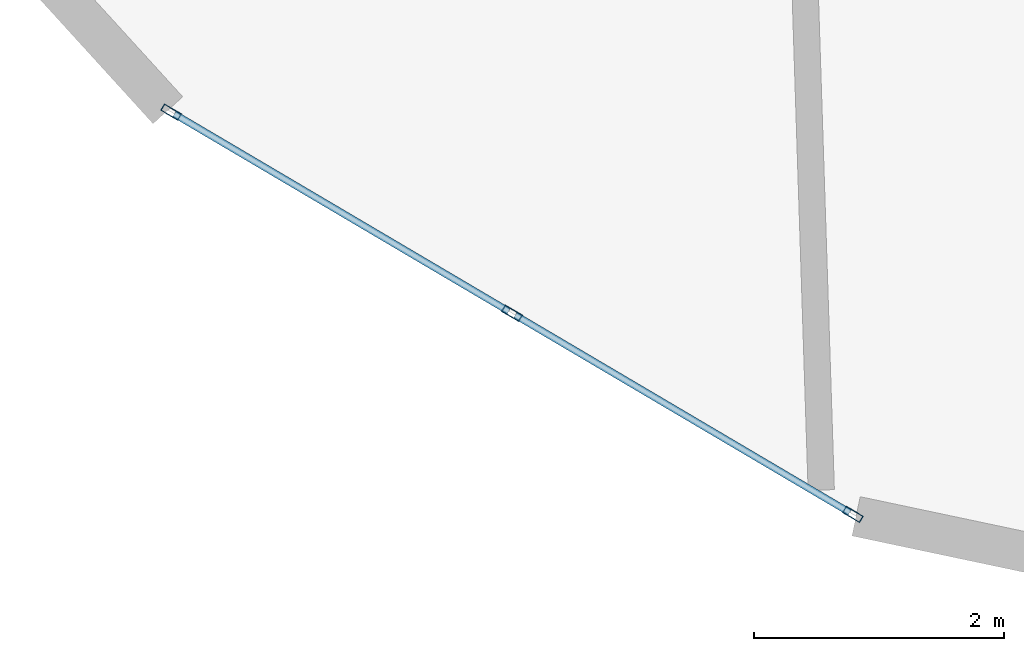
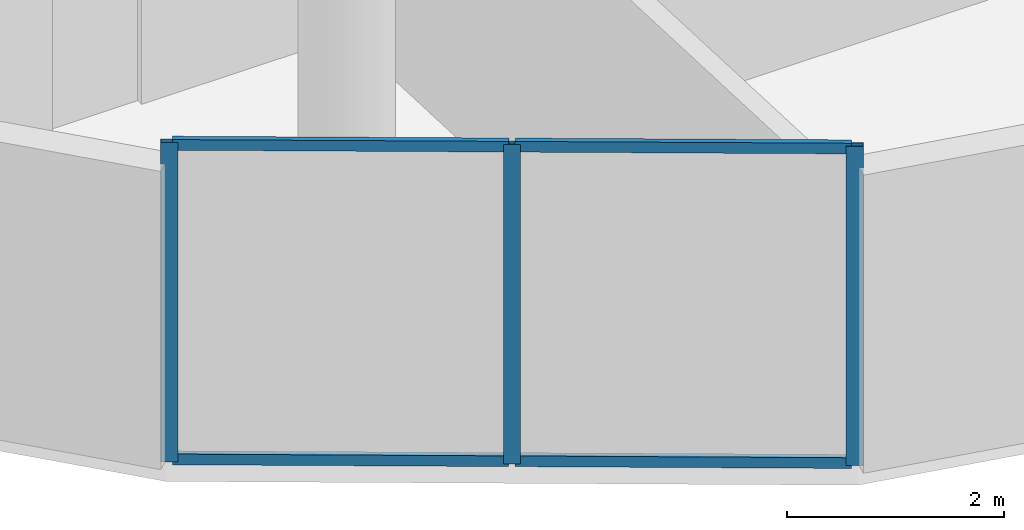
# One storey, part 2 of 21: 7 members, 1 element without a shape of its own.
"""IFC4 building model written with IfcOpenShell, lengths in metres."""

from ifc_helpers import new_model, si_unit, direction, frame, origin, origin_2d, place, context, subcontext, project, spatial, hollow_rectangle, extrude, source, transform, mapped, material, layer, layer_set, material_profile, profile_set, type_object, element, aggregate, save


model = new_model("IFC4")

# Units and contexts
model_context = context("Model", 3, precision=1e-05, world=origin(), true_north=direction((0.0, 1.0)))
body_context = subcontext(model_context, "Body", "Model", "MODEL_VIEW")
ifc_project = project(units=[si_unit("LENGTHUNIT", "METRE"), si_unit("AREAUNIT", "SQUARE_METRE"), si_unit("VOLUMEUNIT", "CUBIC_METRE"), si_unit("PLANEANGLEUNIT", "RADIAN"), si_unit("MASSUNIT", "GRAM", prefix="KILO")], contexts=[model_context])

# Site, building, storey
site_placement = place(None, origin())
site = spatial("IfcSite", under=ifc_project, at=site_placement, CompositionType="ELEMENT")
building_placement = place(site_placement, origin())
building = spatial("IfcBuilding", under=site, at=building_placement, Name="Solvirekh Grand Hotel", CompositionType="ELEMENT")
storey_placement = place(building_placement, frame((0.0, 0.0, 223.60009765625)))
storey = spatial("IfcBuildingStorey", under=building, at=storey_placement, Name="L58", CompositionType="ELEMENT", Elevation=223.60009765625)

# Curtain wall, members
ifc_material = material(Name="Anodized Bronze Aluminium 6063-T6", Category="aluminium")
ifc_layer = layer(ifc_material, 0.159912109375)
ifc_layer_set = layer_set([ifc_layer], Name="Anodized Bronze Aluminium 6063-T6")
curtain_wall_type = type_object("IfcCurtainWallType", Name="CW_Sys4_HighZoneFlushBronzeCW", PredefinedType="NOTDEFINED", material=ifc_layer_set)
curtain_wall_placement = place(storey_placement, origin())
curtain_wall = element("IfcCurtainWall", 1, at=curtain_wall_placement, inside=storey, type_object=curtain_wall_type, Name="L58 unitised bronze-glass curtain wall CW-L58-C18", PredefinedType="NOTDEFINED")
ifc_material_profile_1 = material_profile(ifc_material, hollow_rectangle(XDim=0.054931640625, YDim=0.1201171875, WallThickness=0.00390625, at=origin_2d()), Name="ALU RHS 120X55X4")
ifc_profile_set_1 = profile_set([ifc_material_profile_1], Name="Anodized Bronze Aluminium 6063-T6")
member_type_1 = type_object("IfcMemberType", Name="CWTransom_Sys4", PredefinedType="USERDEFINED", material=ifc_profile_set_1)
shared_shape_1 = source(origin(), body_context, "Body", "SweptSolid", [
    extrude(hollow_rectangle(XDim=0.054931640625, YDim=0.1201171875, WallThickness=0.00390625, at=origin_2d()), origin(), (0.0, 0.0, 1.0), 3.104736328125),
])
member_1_placement = place(storey_placement, frame((-11.67236328125, -16.99853515625, 0.02734375), z_axis=(0.86127854934, -0.508133112922, 0.0), x_axis=(0.508133112922, 0.86127854934, 0.0)))
member_1 = element("IfcMember", 2, at=member_1_placement, type_object=member_type_1, Name="U04 transom 1.1", ObjectType="TRANSOM", PredefinedType="USERDEFINED", context=body_context, shape_type="MappedRepresentation", body=[
    mapped(shared_shape_1, transform((0.0, 0.0, 0.0), x_axis=(1.0, 0.0, 0.0), y_axis=(0.0, 1.0, 0.0), z_axis=(0.0, 0.0, 1.0), scale=1.0)),
])
member_2_placement = place(storey_placement, frame((-11.67236328125, -16.99853515625, 3.572509765625), z_axis=(0.86127854934, -0.508133112922, 0.0), x_axis=(0.508133112922, 0.86127854934, 0.0)))
member_2 = element("IfcMember", 3, at=member_2_placement, type_object=member_type_1, Name="U04 transom 1.2", ObjectType="TRANSOM", PredefinedType="USERDEFINED", context=body_context, shape_type="MappedRepresentation", body=[
    mapped(shared_shape_1, transform((0.0, 0.0, 0.0), x_axis=(1.0, 0.0, 0.0), y_axis=(0.0, 1.0, 0.0), z_axis=(0.0, 0.0, 1.0), scale=1.0)),
])
ifc_material_profile_2 = material_profile(ifc_material, hollow_rectangle(XDim=0.06005859375, YDim=0.159912109375, WallThickness=0.0048828125, at=origin_2d()), Name="ALU RHS 160X60X5")
ifc_profile_set_2 = profile_set([ifc_material_profile_2], Name="Anodized Bronze Aluminium 6063-T6")
member_type_2 = type_object("IfcMemberType", Name="CWMullion_Sys4", PredefinedType="MULLION", material=ifc_profile_set_2)
shared_shape_2 = source(origin(), body_context, "Body", "SweptSolid", [
    extrude(hollow_rectangle(XDim=0.06005859375, YDim=0.159912109375, WallThickness=0.0048828125, at=origin_2d()), origin(), (0.0, 0.0, 1.0), 3.599853515625),
])
member_3_placement = place(storey_placement, frame((-11.6982421875, -16.983154296875, 0.0), z_axis=(0.0, 0.0, 1.0), x_axis=(0.508175563323, 0.861253503239, 0.0)))
member_3 = element("IfcMember", 4, at=member_3_placement, type_object=member_type_2, Name="U04 mullion 1", PredefinedType="MULLION", context=body_context, shape_type="MappedRepresentation", body=[
    mapped(shared_shape_2, transform((0.0, 0.0, 0.0), x_axis=(1.0, 0.0, 0.0), y_axis=(0.0, 1.0, 0.0), z_axis=(0.0, 0.0, 1.0), scale=1.0)),
])
member_4_placement = place(storey_placement, frame((-8.972412109375, -18.591552734375, 0.0), z_axis=(0.0, 0.0, 1.0), x_axis=(0.508175563323, 0.861253503239, 0.0)))
member_4 = element("IfcMember", 5, at=member_4_placement, type_object=member_type_2, Name="U04 mullion 2", PredefinedType="MULLION", context=body_context, shape_type="MappedRepresentation", body=[
    mapped(shared_shape_2, transform((0.0, 0.0, 0.0), x_axis=(1.0, 0.0, 0.0), y_axis=(0.0, 1.0, 0.0), z_axis=(0.0, 0.0, 1.0), scale=1.0)),
])
member_5_placement = place(storey_placement, frame((-6.246826171875, -20.19970703125, 0.0), z_axis=(0.0, 0.0, 1.0), x_axis=(0.508175563323, 0.861253503239, 0.0)))
member_5 = element("IfcMember", 6, at=member_5_placement, type_object=member_type_2, Name="U04 mullion 3", PredefinedType="MULLION", context=body_context, shape_type="MappedRepresentation", body=[
    mapped(shared_shape_2, transform((0.0, 0.0, 0.0), x_axis=(1.0, 0.0, 0.0), y_axis=(0.0, 1.0, 0.0), z_axis=(0.0, 0.0, 1.0), scale=1.0)),
])
shared_shape_3 = source(origin(), body_context, "Body", "SweptSolid", [
    extrude(hollow_rectangle(XDim=0.054931640625, YDim=0.1201171875, WallThickness=0.00390625, at=origin_2d()), origin(), (0.0, 0.0, 1.0), 3.10498046875),
])
member_6_placement = place(storey_placement, frame((-8.94677734375, -18.606689453125, 0.02734375), z_axis=(0.861244135016, -0.508191440209, 0.0), x_axis=(0.508191440209, 0.861244135016, 0.0)))
member_6 = element("IfcMember", 7, at=member_6_placement, type_object=member_type_1, Name="U04 transom 2.1", ObjectType="TRANSOM", PredefinedType="USERDEFINED", context=body_context, shape_type="MappedRepresentation", body=[
    mapped(shared_shape_3, transform((0.0, 0.0, 0.0), x_axis=(1.0, 0.0, 0.0), y_axis=(0.0, 1.0, 0.0), z_axis=(0.0, 0.0, 1.0), scale=1.0)),
])
member_7_placement = place(storey_placement, frame((-8.94677734375, -18.606689453125, 3.572509765625), z_axis=(0.861244135016, -0.508191440209, 0.0), x_axis=(0.508191440209, 0.861244135016, 0.0)))
member_7 = element("IfcMember", 8, at=member_7_placement, type_object=member_type_1, Name="U04 transom 2.2", ObjectType="TRANSOM", PredefinedType="USERDEFINED", context=body_context, shape_type="MappedRepresentation", body=[
    mapped(shared_shape_3, transform((0.0, 0.0, 0.0), x_axis=(1.0, 0.0, 0.0), y_axis=(0.0, 1.0, 0.0), z_axis=(0.0, 0.0, 1.0), scale=1.0)),
])
aggregate(curtain_wall, [member_3, member_4, member_5, member_1, member_2, member_6, member_7])

save(model, "model.ifc")
